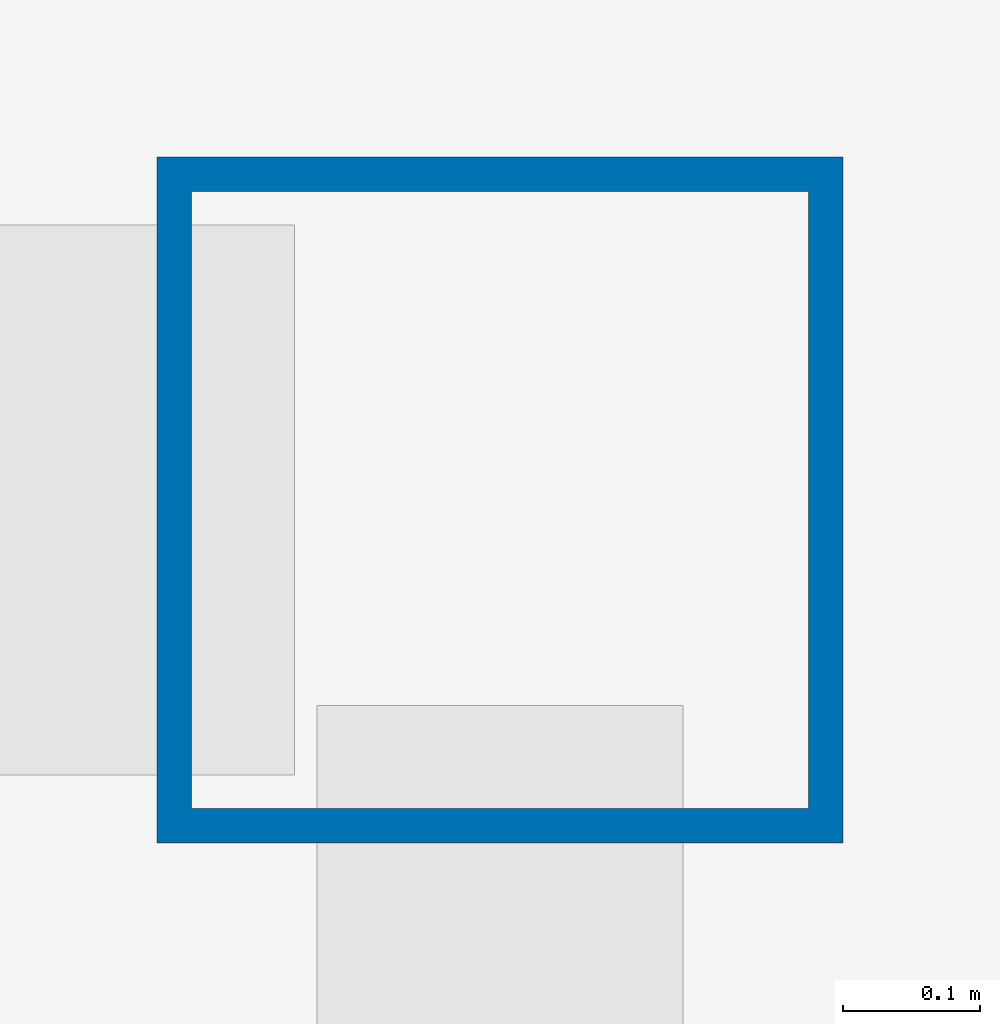
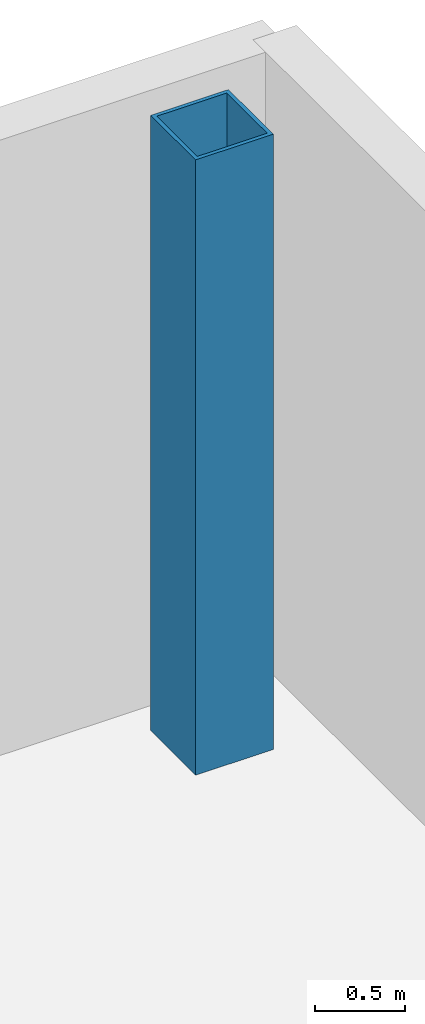
# One storey, part 5 of 26: 1 column.
"""IFC4 building model written with IfcOpenShell, lengths in metres."""

from ifc_helpers import new_model, si_unit, direction, frame, origin, origin_2d, place, context, subcontext, project, spatial, hollow_rectangle, extrude, source, transform, mapped, material, material_profile, profile_set, type_object, element, save


model = new_model("IFC4")

# Units and contexts
model_context = context("Model", 3, precision=1e-05, world=origin(), true_north=direction((0.0, 1.0)))
body_context = subcontext(model_context, "Body", "Model", "MODEL_VIEW")
ifc_project = project(units=[si_unit("LENGTHUNIT", "METRE"), si_unit("AREAUNIT", "SQUARE_METRE"), si_unit("VOLUMEUNIT", "CUBIC_METRE"), si_unit("PLANEANGLEUNIT", "RADIAN"), si_unit("MASSUNIT", "GRAM", prefix="KILO")], contexts=[model_context])

# Site, building, storey
site_placement = place(None, origin())
site = spatial("IfcSite", under=ifc_project, at=site_placement, CompositionType="ELEMENT")
building_placement = place(site_placement, origin())
building = spatial("IfcBuilding", under=site, at=building_placement, Name="Kolveth Station Tower", CompositionType="ELEMENT")
storey_placement = place(building_placement, frame((0.0, 0.0, 4.5)))
storey = spatial("IfcBuildingStorey", under=building, at=storey_placement, Name="L01", CompositionType="ELEMENT", Elevation=4.5)

# Column
ifc_material = material(Name="Steel S355", Category="steel")
ifc_material_profile = material_profile(ifc_material, hollow_rectangle(XDim=0.5, YDim=0.5, WallThickness=0.02490234375, at=origin_2d()), Name="HSS500x500x25")
ifc_profile_set = profile_set([ifc_material_profile], Name="Steel S355")
column_type = type_object("IfcColumnType", Name="Col_SC2", PredefinedType="COLUMN", material=ifc_profile_set)
shared_shape = source(origin(), body_context, "Body", "SweptSolid", [
    extrude(hollow_rectangle(XDim=0.5, YDim=0.5, WallThickness=0.02490234375, at=origin_2d()), origin(), (0.0, 0.0, 1.0), 4.179931640625),
])
column_placement = place(storey_placement, frame((70.699951171875, 39.75, 0.0), z_axis=(0.0, 0.0, 1.0), x_axis=(1.0, 0.0, 0.0)))
element("IfcColumn", 1, at=column_placement, inside=storey, type_object=column_type, Name="L01 Station Column SE-4-6", PredefinedType="COLUMN", context=body_context, shape_type="MappedRepresentation", body=[
    mapped(shared_shape, transform((0.0, 0.0, 0.0), x_axis=(1.0, 0.0, 0.0), y_axis=(0.0, 1.0, 0.0), z_axis=(0.0, 0.0, 1.0), scale=1.0)),
])

save(model, "model.ifc")
